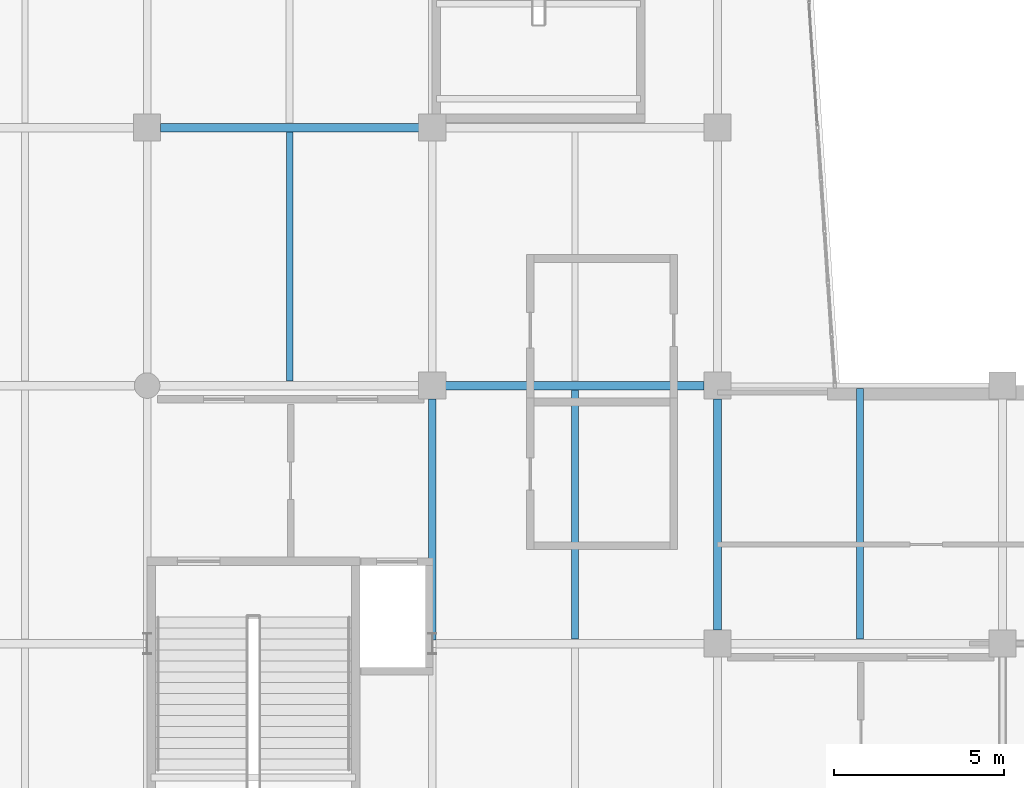
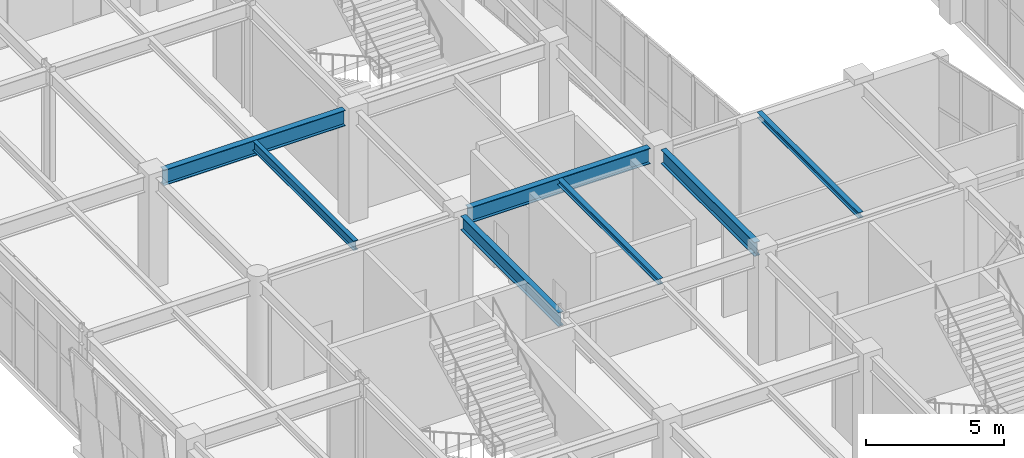
# One storey, part 18 of 128: 7 beams.
"""IFC4 building model written with IfcOpenShell, lengths in metres."""

from ifc_helpers import new_model, si_unit, direction, frame, origin, origin_2d, place, context, subcontext, project, spatial, i_section, extrude, material, material_profile, profile_set, type_object, element, save


model = new_model("IFC4")

# Units and contexts
model_context = context("Model", 3, precision=1e-05, world=origin(), true_north=direction((0.0, 1.0)))
body_context = subcontext(model_context, "Body", "Model", "MODEL_VIEW")
ifc_project = project(units=[si_unit("LENGTHUNIT", "METRE"), si_unit("AREAUNIT", "SQUARE_METRE"), si_unit("VOLUMEUNIT", "CUBIC_METRE"), si_unit("PLANEANGLEUNIT", "RADIAN"), si_unit("MASSUNIT", "GRAM", prefix="KILO")], contexts=[model_context])

# Site, building, storey
site_placement = place(None, origin())
site = spatial("IfcSite", under=ifc_project, at=site_placement, CompositionType="ELEMENT")
building_placement = place(site_placement, origin())
building = spatial("IfcBuilding", under=site, at=building_placement, Name="Xicomal Pleat Aquarium", CompositionType="ELEMENT")
storey_placement = place(building_placement, frame((0.0, 0.0, 5.39990234375)))
storey = spatial("IfcBuildingStorey", under=building, at=storey_placement, Name="L02", CompositionType="ELEMENT", Elevation=5.39990234375)

# Beams
ifc_material_1 = material(Name="Structural steel A992 Gr 50", Category="steel")
ifc_material_profile_1 = material_profile(ifc_material_1, i_section(OverallWidth=0.201904296875, OverallDepth=0.2470703125, WebThickness=0.00732421875, FlangeThickness=0.010986328125, at=origin_2d()), Name="IR 250x49")
ifc_profile_set_1 = profile_set([ifc_material_profile_1], Name="Structural steel A992 Gr 50")
beam_type_1 = type_object("IfcBeamType", Name="BM-STL-IR250", PredefinedType="JOIST", material=ifc_profile_set_1)
beam_1_placement = place(storey_placement, frame((22.800048828125, 30.531005859375, 4.736572265625), z_axis=(0.0, 1.0, 0.0), x_axis=(-1.0, 0.0, 0.0)))
element("IfcBeam", 1, at=beam_1_placement, inside=storey, type_object=beam_type_1, Name="L02 framing beam FBJ-L02-03-E-1", PredefinedType="JOIST", context=body_context, shape_type="SweptSolid", body=[
    extrude(i_section(OverallWidth=0.201904296875, OverallDepth=0.2470703125, WebThickness=0.00732421875, FlangeThickness=0.010986328125, at=origin_2d()), origin(), (0.0, 0.0, 1.0), 7.337890625),
])
beam_2_placement = place(storey_placement, frame((31.199951171875, 30.531005859375, 4.736572265625), z_axis=(0.0, 1.0, 0.0), x_axis=(-1.0, 0.0, 0.0)))
element("IfcBeam", 2, at=beam_2_placement, inside=storey, type_object=beam_type_1, Name="L02 framing beam FBJ-L02-04-E-1", PredefinedType="JOIST", context=body_context, shape_type="SweptSolid", body=[
    extrude(i_section(OverallWidth=0.201904296875, OverallDepth=0.2470703125, WebThickness=0.00732421875, FlangeThickness=0.010986328125, at=origin_2d()), origin(), (0.0, 0.0, 1.0), 7.39111328125),
])
ifc_material_2 = material(Name="Structural steel A992 Gr 50", Category="steel")
ifc_material_profile_2 = material_profile(ifc_material_2, i_section(OverallWidth=0.180908203125, OverallDepth=0.4169921875, WebThickness=0.010986328125, FlangeThickness=0.018310546875, at=origin_2d()), Name="IR 410x85")
ifc_profile_set_2 = profile_set([ifc_material_profile_2], Name="Structural steel A992 Gr 50")
beam_type_2 = type_object("IfcBeamType", Name="BM-STL-IR410", PredefinedType="JOIST", material=ifc_profile_set_2)
beam_3_placement = place(storey_placement, frame((14.39990234375, 38.131103515625, 4.66650390625), z_axis=(0.0, 1.0, 0.0), x_axis=(-1.0, 0.0, 0.0)))
element("IfcBeam", 3, at=beam_3_placement, inside=storey, type_object=beam_type_2, Name="L02 framing beam FBJ-L02-02-F-1", PredefinedType="JOIST", context=body_context, shape_type="SweptSolid", body=[
    extrude(i_section(OverallWidth=0.180908203125, OverallDepth=0.4169921875, WebThickness=0.010986328125, FlangeThickness=0.018310546875, at=origin_2d()), origin(), (0.0, 0.0, 1.0), 7.337890625),
])
ifc_material_3 = material(Name="Structural steel A992 Gr 50", Category="steel")
ifc_material_profile_3 = material_profile(ifc_material_3, i_section(OverallWidth=0.22998046875, OverallDepth=0.616943359375, WebThickness=0.01318359375, FlangeThickness=0.022216796875, at=origin_2d()), Name="IR 610x140")
ifc_profile_set_3 = profile_set([ifc_material_profile_3], Name="Structural steel A992 Gr 50")
beam_type_3 = type_object("IfcBeamType", Name="BM-STL-IR610", PredefinedType="BEAM", material=ifc_profile_set_3)
beam_4_placement = place(storey_placement, frame((18.60009765625, 30.510009765625, 4.551513671875), z_axis=(0.0, 1.0, 0.0), x_axis=(-1.0, 0.0, 0.0)))
element("IfcBeam", 4, at=beam_4_placement, inside=storey, type_object=beam_type_3, Name="L02 framing beam FGY-L02-03-E-F", PredefinedType="BEAM", context=body_context, shape_type="SweptSolid", body=[
    extrude(i_section(OverallWidth=0.22998046875, OverallDepth=0.616943359375, WebThickness=0.01318359375, FlangeThickness=0.022216796875, at=origin_2d()), origin(), (0.0, 0.0, 1.0), 7.094970703125),
])
beam_5_placement = place(storey_placement, frame((27.0, 30.794921875, 4.551513671875), z_axis=(0.0, 1.0, 0.0), x_axis=(-1.0, 0.0, 0.0)))
element("IfcBeam", 5, at=beam_5_placement, inside=storey, type_object=beam_type_3, Name="L02 framing beam FGY-L02-04-E-F", PredefinedType="BEAM", context=body_context, shape_type="SweptSolid", body=[
    extrude(i_section(OverallWidth=0.22998046875, OverallDepth=0.616943359375, WebThickness=0.01318359375, FlangeThickness=0.022216796875, at=origin_2d()), origin(), (0.0, 0.0, 1.0), 6.81005859375),
])
ifc_material_4 = material(Name="Structural steel A992 Gr 50", Category="steel")
ifc_material_profile_4 = material_profile(ifc_material_4, i_section(OverallWidth=0.256103515625, OverallDepth=0.693115234375, WebThickness=0.014404296875, FlangeThickness=0.023681640625, at=origin_2d()), Name="IR 690x170")
ifc_profile_set_4 = profile_set([ifc_material_profile_4], Name="Structural steel A992 Gr 50")
beam_type_4 = type_object("IfcBeamType", Name="BM-STL-IR690", PredefinedType="BEAM", material=ifc_profile_set_4)
beam_6_placement = place(storey_placement, frame((18.9951171875, 38.0, 4.513671875), z_axis=(1.0, 0.0, 0.0), x_axis=(0.0, 1.0, 0.0)))
element("IfcBeam", 6, at=beam_6_placement, inside=storey, type_object=beam_type_4, Name="L02 framing beam FGX-L02-03-04-F", PredefinedType="BEAM", context=body_context, shape_type="SweptSolid", body=[
    extrude(i_section(OverallWidth=0.256103515625, OverallDepth=0.693115234375, WebThickness=0.014404296875, FlangeThickness=0.023681640625, at=origin_2d()), origin(), (0.0, 0.0, 1.0), 7.60986328125),
])
beam_7_placement = place(storey_placement, frame((10.594970703125, 45.60009765625, 4.528564453125), z_axis=(1.0, 0.0, 0.0), x_axis=(0.0, 1.0, 0.0)))
element("IfcBeam", 7, at=beam_7_placement, inside=storey, type_object=beam_type_4, Name="L02 framing beam FGX-L02-02-03-G", PredefinedType="BEAM", context=body_context, shape_type="SweptSolid", body=[
    extrude(i_section(OverallWidth=0.256103515625, OverallDepth=0.693115234375, WebThickness=0.014404296875, FlangeThickness=0.023681640625, at=origin_2d()), origin(), (0.0, 0.0, 1.0), 7.610107421875),
])

save(model, "model.ifc")
